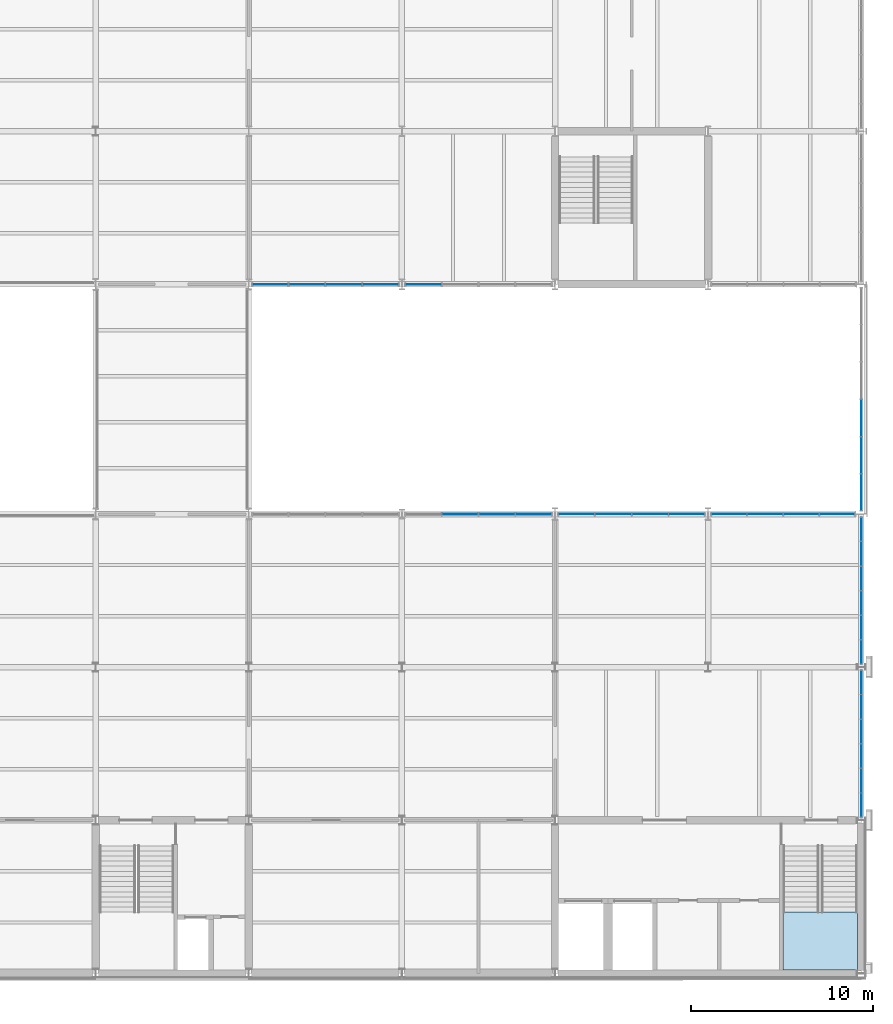
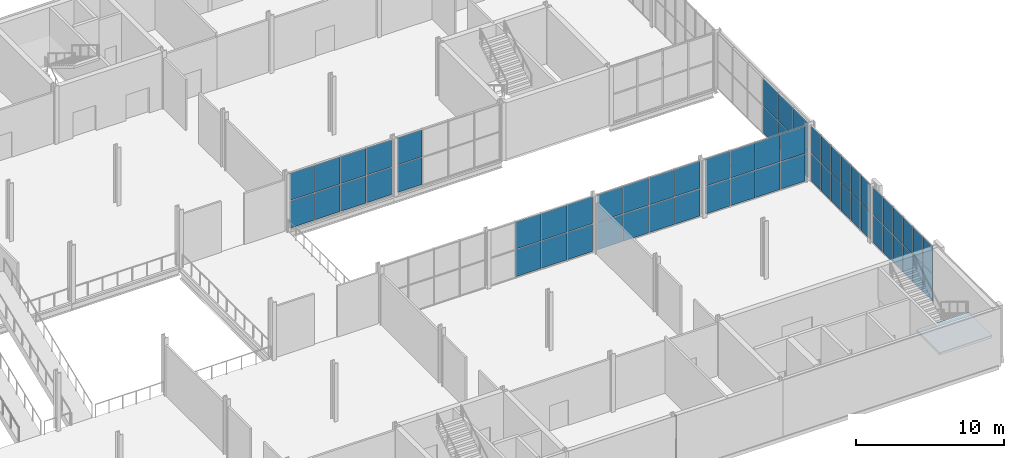
# One storey, part 33 of 61: 62 plates, 1 slab, 9 elements without a shape of their own.
"""IFC4 building model written with IfcOpenShell, lengths in metres."""

from ifc_helpers import new_model, si_unit, direction, frame, origin, origin_2d, place, context, subcontext, project, spatial, polyline, rectangle, outline, extrude, material, layer, layer_set, type_object, element, aggregate, save


model = new_model("IFC4")

# Units and contexts
model_context = context("Model", 3, precision=1e-05, world=origin(), true_north=direction((0.0, 1.0)))
body_context = subcontext(model_context, "Body", "Model", "MODEL_VIEW")
ifc_project = project(units=[si_unit("LENGTHUNIT", "METRE"), si_unit("AREAUNIT", "SQUARE_METRE"), si_unit("VOLUMEUNIT", "CUBIC_METRE"), si_unit("PLANEANGLEUNIT", "RADIAN"), si_unit("MASSUNIT", "GRAM", prefix="KILO")], contexts=[model_context])

# Site, building, storey
site_placement = place(None, origin())
site = spatial("IfcSite", under=ifc_project, at=site_placement, CompositionType="ELEMENT")
building_placement = place(site_placement, origin())
building = spatial("IfcBuilding", under=site, at=building_placement, Name="Galleria Vessillo Department Store", CompositionType="ELEMENT")
storey_placement = place(building_placement, frame((0.0, 0.0, 11.39990234375)))
storey = spatial("IfcBuildingStorey", under=building, at=storey_placement, Name="L02", CompositionType="ELEMENT", Elevation=11.39990234375)

# Curtain wall, plates
ifc_material_1 = material(Name="Aluminium and glass curtain wall", Category="aluminium")
ifc_layer_1 = layer(ifc_material_1, 0.1201171875)
ifc_layer_set_1 = layer_set([ifc_layer_1], Name="Aluminium and glass curtain wall")
curtain_wall_type_1 = type_object("IfcCurtainWallType", Name="Shopfront curtain wall CW3 1400 module", PredefinedType="NOTDEFINED", material=ifc_layer_set_1)
curtain_wall_1_placement = place(storey_placement, origin())
curtain_wall_1 = element("IfcCurtainWall", 1, at=curtain_wall_1_placement, inside=storey, type_object=curtain_wall_type_1, Name="Shopfront curtain wall CW3 1400 module SE-S-L02-01", PredefinedType="NOTDEFINED")
ifc_material_2 = material(Name="Glass laminated 44.2 low-e", Category="glass")
ifc_layer_2 = layer(ifc_material_2, 0.02392578125)
ifc_layer_set_2 = layer_set([ifc_layer_2], Name="Glass laminated 44.2 low-e")
plate_type_1 = type_object("IfcPlateType", Name="Laminated glass panel 24 mm", PredefinedType="CURTAIN_PANEL", material=ifc_layer_set_2)
plate_1_placement = place(storey_placement, frame((117.60009765625, 9.2373046875, 2.35009765625), z_axis=(0.0, 0.0, 1.0), x_axis=(0.0, 1.0, 0.0)))
plate_1 = element("IfcPlate", 2, at=plate_1_placement, type_object=plate_type_1, Name="CW3 panel 1.2", PredefinedType="CURTAIN_PANEL", context=body_context, shape_type="SweptSolid", body=[
    extrude(rectangle(XDim=1.275146484375, YDim=0.02392578125, at=origin_2d()), origin(), (0.0, 0.0, 1.0), 2.25),
])
plate_2_placement = place(storey_placement, frame((117.60009765625, 10.574951171875, 2.35009765625), z_axis=(0.0, 0.0, 1.0), x_axis=(0.0, 1.0, 0.0)))
plate_2 = element("IfcPlate", 3, at=plate_2_placement, type_object=plate_type_1, Name="CW3 panel 2.2", PredefinedType="CURTAIN_PANEL", context=body_context, shape_type="SweptSolid", body=[
    extrude(rectangle(XDim=1.300048828125, YDim=0.02392578125, at=origin_2d()), origin(), (0.0, 0.0, 1.0), 2.25),
])
plate_3_placement = place(storey_placement, frame((117.60009765625, 11.925048828125, 2.35009765625), z_axis=(0.0, 0.0, 1.0), x_axis=(0.0, 1.0, 0.0)))
plate_3 = element("IfcPlate", 4, at=plate_3_placement, type_object=plate_type_1, Name="CW3 panel 3.2", PredefinedType="CURTAIN_PANEL", context=body_context, shape_type="SweptSolid", body=[
    extrude(rectangle(XDim=1.300048828125, YDim=0.02392578125, at=origin_2d()), origin(), (0.0, 0.0, 1.0), 2.25),
])
plate_4_placement = place(storey_placement, frame((117.60009765625, 13.27490234375, 2.35009765625), z_axis=(0.0, 0.0, 1.0), x_axis=(0.0, 1.0, 0.0)))
plate_4 = element("IfcPlate", 5, at=plate_4_placement, type_object=plate_type_1, Name="CW3 panel 4.2", PredefinedType="CURTAIN_PANEL", context=body_context, shape_type="SweptSolid", body=[
    extrude(rectangle(XDim=1.300048828125, YDim=0.02392578125, at=origin_2d()), origin(), (0.0, 0.0, 1.0), 2.25),
])
plate_5_placement = place(storey_placement, frame((117.60009765625, 14.625, 2.35009765625), z_axis=(0.0, 0.0, 1.0), x_axis=(0.0, 1.0, 0.0)))
plate_5 = element("IfcPlate", 6, at=plate_5_placement, type_object=plate_type_1, Name="CW3 panel 5.2", PredefinedType="CURTAIN_PANEL", context=body_context, shape_type="SweptSolid", body=[
    extrude(rectangle(XDim=1.300048828125, YDim=0.02392578125, at=origin_2d()), origin(), (0.0, 0.0, 1.0), 2.25),
])
plate_6_placement = place(storey_placement, frame((117.60009765625, 15.962646484375, 2.35009765625), z_axis=(0.0, 0.0, 1.0), x_axis=(0.0, 1.0, 0.0)))
plate_6 = element("IfcPlate", 7, at=plate_6_placement, type_object=plate_type_1, Name="CW3 panel 6.2", PredefinedType="CURTAIN_PANEL", context=body_context, shape_type="SweptSolid", body=[
    extrude(rectangle(XDim=1.275146484375, YDim=0.02392578125, at=origin_2d()), origin(), (0.0, 0.0, 1.0), 2.25),
])

curtain_wall_2_placement = place(storey_placement, origin())
curtain_wall_2 = element("IfcCurtainWall", 8, at=curtain_wall_2_placement, inside=storey, type_object=curtain_wall_type_1, Name="Shopfront curtain wall CW3 1400 module SE-S-L02-02", PredefinedType="NOTDEFINED")
plate_7_placement = place(storey_placement, frame((117.60009765625, 17.63720703125, 2.35009765625), z_axis=(0.0, 0.0, 1.0), x_axis=(0.0, 1.0, 0.0)))
plate_7 = element("IfcPlate", 9, at=plate_7_placement, type_object=plate_type_1, Name="CW3 panel 1.2", PredefinedType="CURTAIN_PANEL", context=body_context, shape_type="SweptSolid", body=[
    extrude(rectangle(XDim=1.274658203125, YDim=0.02392578125, at=origin_2d()), origin(), (0.0, 0.0, 1.0), 2.25),
])
plate_8_placement = place(storey_placement, frame((117.60009765625, 18.974365234375, 2.35009765625), z_axis=(0.0, 0.0, 1.0), x_axis=(0.0, 1.0, 0.0)))
plate_8 = element("IfcPlate", 10, at=plate_8_placement, type_object=plate_type_1, Name="CW3 panel 2.2", PredefinedType="CURTAIN_PANEL", context=body_context, shape_type="SweptSolid", body=[
    extrude(rectangle(XDim=1.299560546875, YDim=0.02392578125, at=origin_2d()), origin(), (0.0, 0.0, 1.0), 2.25),
])
plate_9_placement = place(storey_placement, frame((117.60009765625, 20.323974609375, 2.35009765625), z_axis=(0.0, 0.0, 1.0), x_axis=(0.0, 1.0, 0.0)))
plate_9 = element("IfcPlate", 11, at=plate_9_placement, type_object=plate_type_1, Name="CW3 panel 3.2", PredefinedType="CURTAIN_PANEL", context=body_context, shape_type="SweptSolid", body=[
    extrude(rectangle(XDim=1.299560546875, YDim=0.02392578125, at=origin_2d()), origin(), (0.0, 0.0, 1.0), 2.25),
])
plate_10_placement = place(storey_placement, frame((117.60009765625, 21.67333984375, 2.35009765625), z_axis=(0.0, 0.0, 1.0), x_axis=(0.0, 1.0, 0.0)))
plate_10 = element("IfcPlate", 12, at=plate_10_placement, type_object=plate_type_1, Name="CW3 panel 4.2", PredefinedType="CURTAIN_PANEL", context=body_context, shape_type="SweptSolid", body=[
    extrude(rectangle(XDim=1.299560546875, YDim=0.02392578125, at=origin_2d()), origin(), (0.0, 0.0, 1.0), 2.25),
])
plate_11_placement = place(storey_placement, frame((117.60009765625, 23.02294921875, 2.35009765625), z_axis=(0.0, 0.0, 1.0), x_axis=(0.0, 1.0, 0.0)))
plate_11 = element("IfcPlate", 13, at=plate_11_placement, type_object=plate_type_1, Name="CW3 panel 5.2", PredefinedType="CURTAIN_PANEL", context=body_context, shape_type="SweptSolid", body=[
    extrude(rectangle(XDim=1.299560546875, YDim=0.02392578125, at=origin_2d()), origin(), (0.0, 0.0, 1.0), 2.25),
])
plate_12_placement = place(storey_placement, frame((117.60009765625, 24.360107421875, 2.35009765625), z_axis=(0.0, 0.0, 1.0), x_axis=(0.0, 1.0, 0.0)))
plate_12 = element("IfcPlate", 14, at=plate_12_placement, type_object=plate_type_1, Name="CW3 panel 6.2", PredefinedType="CURTAIN_PANEL", context=body_context, shape_type="SweptSolid", body=[
    extrude(rectangle(XDim=1.274658203125, YDim=0.02392578125, at=origin_2d()), origin(), (0.0, 0.0, 1.0), 2.25),
])

ifc_material_3 = material(Name="Aluminium and glass curtain wall", Category="aluminium")
ifc_layer_3 = layer(ifc_material_3, 0.159912109375)
ifc_layer_set_3 = layer_set([ifc_layer_3], Name="Aluminium and glass curtain wall")
curtain_wall_type_2 = type_object("IfcCurtainWallType", Name="Arcade portal glazing CW2 2100 module", PredefinedType="NOTDEFINED", material=ifc_layer_set_3)
curtain_wall_3_placement = place(storey_placement, origin())
curtain_wall_3 = element("IfcCurtainWall", 15, at=curtain_wall_3_placement, inside=storey, type_object=curtain_wall_type_2, Name="Arcade portal glazing CW2 2100 module PW-E-S-L02-01", PredefinedType="NOTDEFINED")
ifc_material_4 = material(Name="Glass laminated 44.2 low-e", Category="glass")
ifc_layer_4 = layer(ifc_material_4, 0.028076171875)
ifc_layer_set_4 = layer_set([ifc_layer_4], Name="Glass laminated 44.2 low-e")
plate_type_2 = type_object("IfcPlateType", Name="Laminated glass panel 28 mm", PredefinedType="CURTAIN_PANEL", material=ifc_layer_set_4)
plate_13_placement = place(storey_placement, frame((101.97705078125, 25.199951171875, 0.06005859375), z_axis=(0.0, 0.0, 1.0), x_axis=(1.0, 0.0, 0.0)))
plate_13 = element("IfcPlate", 16, at=plate_13_placement, type_object=plate_type_2, Name="CW2 panel 1.1", PredefinedType="CURTAIN_PANEL", context=body_context, shape_type="SweptSolid", body=[
    extrude(rectangle(XDim=1.94873046875, YDim=0.028076171875, at=origin_2d()), origin(), (0.0, 0.0, 1.0), 2.235107421875),
])
plate_14_placement = place(storey_placement, frame((101.97705078125, 25.199951171875, 2.35498046875), z_axis=(0.0, 0.0, 1.0), x_axis=(1.0, 0.0, 0.0)))
plate_14 = element("IfcPlate", 17, at=plate_14_placement, type_object=plate_type_2, Name="CW2 panel 1.2", PredefinedType="CURTAIN_PANEL", context=body_context, shape_type="SweptSolid", body=[
    extrude(rectangle(XDim=1.94873046875, YDim=0.028076171875, at=origin_2d()), origin(), (0.0, 0.0, 1.0), 2.235107421875),
])
plate_15_placement = place(storey_placement, frame((103.98828125, 25.199951171875, 0.06005859375), z_axis=(0.0, 0.0, 1.0), x_axis=(1.0, 0.0, 0.0)))
plate_15 = element("IfcPlate", 18, at=plate_15_placement, type_object=plate_type_2, Name="CW2 panel 2.1", PredefinedType="CURTAIN_PANEL", context=body_context, shape_type="SweptSolid", body=[
    extrude(rectangle(XDim=1.9736328125, YDim=0.028076171875, at=origin_2d()), origin(), (0.0, 0.0, 1.0), 2.235107421875),
])
plate_16_placement = place(storey_placement, frame((103.98828125, 25.199951171875, 2.35498046875), z_axis=(0.0, 0.0, 1.0), x_axis=(1.0, 0.0, 0.0)))
plate_16 = element("IfcPlate", 19, at=plate_16_placement, type_object=plate_type_2, Name="CW2 panel 2.2", PredefinedType="CURTAIN_PANEL", context=body_context, shape_type="SweptSolid", body=[
    extrude(rectangle(XDim=1.9736328125, YDim=0.028076171875, at=origin_2d()), origin(), (0.0, 0.0, 1.0), 2.235107421875),
])
plate_17_placement = place(storey_placement, frame((106.01171875, 25.199951171875, 0.06005859375), z_axis=(0.0, 0.0, 1.0), x_axis=(1.0, 0.0, 0.0)))
plate_17 = element("IfcPlate", 20, at=plate_17_placement, type_object=plate_type_2, Name="CW2 panel 3.1", PredefinedType="CURTAIN_PANEL", context=body_context, shape_type="SweptSolid", body=[
    extrude(rectangle(XDim=1.9736328125, YDim=0.028076171875, at=origin_2d()), origin(), (0.0, 0.0, 1.0), 2.235107421875),
])
plate_18_placement = place(storey_placement, frame((106.01171875, 25.199951171875, 2.35498046875), z_axis=(0.0, 0.0, 1.0), x_axis=(1.0, 0.0, 0.0)))
plate_18 = element("IfcPlate", 21, at=plate_18_placement, type_object=plate_type_2, Name="CW2 panel 3.2", PredefinedType="CURTAIN_PANEL", context=body_context, shape_type="SweptSolid", body=[
    extrude(rectangle(XDim=1.9736328125, YDim=0.028076171875, at=origin_2d()), origin(), (0.0, 0.0, 1.0), 2.235107421875),
])
plate_19_placement = place(storey_placement, frame((108.02294921875, 25.199951171875, 0.06005859375), z_axis=(0.0, 0.0, 1.0), x_axis=(1.0, 0.0, 0.0)))
plate_19 = element("IfcPlate", 22, at=plate_19_placement, type_object=plate_type_2, Name="CW2 panel 4.1", PredefinedType="CURTAIN_PANEL", context=body_context, shape_type="SweptSolid", body=[
    extrude(rectangle(XDim=1.94873046875, YDim=0.028076171875, at=origin_2d()), origin(), (0.0, 0.0, 1.0), 2.235107421875),
])
plate_20_placement = place(storey_placement, frame((108.02294921875, 25.199951171875, 2.35498046875), z_axis=(0.0, 0.0, 1.0), x_axis=(1.0, 0.0, 0.0)))
plate_20 = element("IfcPlate", 23, at=plate_20_placement, type_object=plate_type_2, Name="CW2 panel 4.2", PredefinedType="CURTAIN_PANEL", context=body_context, shape_type="SweptSolid", body=[
    extrude(rectangle(XDim=1.94873046875, YDim=0.028076171875, at=origin_2d()), origin(), (0.0, 0.0, 1.0), 2.235107421875),
])
aggregate(curtain_wall_3, [plate_13, plate_14, plate_15, plate_16, plate_17, plate_18, plate_19, plate_20])

curtain_wall_4_placement = place(storey_placement, origin())
curtain_wall_4 = element("IfcCurtainWall", 24, at=curtain_wall_4_placement, inside=storey, type_object=curtain_wall_type_2, Name="Arcade portal glazing CW2 2100 module PW-E-S-L02-02", PredefinedType="NOTDEFINED")
plate_21_placement = place(storey_placement, frame((110.354248046875, 25.199951171875, 0.06005859375), z_axis=(0.0, 0.0, 1.0), x_axis=(1.0, 0.0, 0.0)))
plate_21 = element("IfcPlate", 25, at=plate_21_placement, type_object=plate_type_2, Name="CW2 panel 1.1", PredefinedType="CURTAIN_PANEL", context=body_context, shape_type="SweptSolid", body=[
    extrude(rectangle(XDim=1.9033203125, YDim=0.028076171875, at=origin_2d()), origin(), (0.0, 0.0, 1.0), 2.235107421875),
])
plate_22_placement = place(storey_placement, frame((110.354248046875, 25.199951171875, 2.35498046875), z_axis=(0.0, 0.0, 1.0), x_axis=(1.0, 0.0, 0.0)))
plate_22 = element("IfcPlate", 26, at=plate_22_placement, type_object=plate_type_2, Name="CW2 panel 1.2", PredefinedType="CURTAIN_PANEL", context=body_context, shape_type="SweptSolid", body=[
    extrude(rectangle(XDim=1.9033203125, YDim=0.028076171875, at=origin_2d()), origin(), (0.0, 0.0, 1.0), 2.235107421875),
])
plate_23_placement = place(storey_placement, frame((112.320068359375, 25.199951171875, 0.06005859375), z_axis=(0.0, 0.0, 1.0), x_axis=(1.0, 0.0, 0.0)))
plate_23 = element("IfcPlate", 27, at=plate_23_placement, type_object=plate_type_2, Name="CW2 panel 2.1", PredefinedType="CURTAIN_PANEL", context=body_context, shape_type="SweptSolid", body=[
    extrude(rectangle(XDim=1.928466796875, YDim=0.028076171875, at=origin_2d()), origin(), (0.0, 0.0, 1.0), 2.235107421875),
])
plate_24_placement = place(storey_placement, frame((112.320068359375, 25.199951171875, 2.35498046875), z_axis=(0.0, 0.0, 1.0), x_axis=(1.0, 0.0, 0.0)))
plate_24 = element("IfcPlate", 28, at=plate_24_placement, type_object=plate_type_2, Name="CW2 panel 2.2", PredefinedType="CURTAIN_PANEL", context=body_context, shape_type="SweptSolid", body=[
    extrude(rectangle(XDim=1.928466796875, YDim=0.028076171875, at=origin_2d()), origin(), (0.0, 0.0, 1.0), 2.235107421875),
])
plate_25_placement = place(storey_placement, frame((114.298583984375, 25.199951171875, 0.06005859375), z_axis=(0.0, 0.0, 1.0), x_axis=(1.0, 0.0, 0.0)))
plate_25 = element("IfcPlate", 29, at=plate_25_placement, type_object=plate_type_2, Name="CW2 panel 3.1", PredefinedType="CURTAIN_PANEL", context=body_context, shape_type="SweptSolid", body=[
    extrude(rectangle(XDim=1.928466796875, YDim=0.028076171875, at=origin_2d()), origin(), (0.0, 0.0, 1.0), 2.235107421875),
])
plate_26_placement = place(storey_placement, frame((114.298583984375, 25.199951171875, 2.35498046875), z_axis=(0.0, 0.0, 1.0), x_axis=(1.0, 0.0, 0.0)))
plate_26 = element("IfcPlate", 30, at=plate_26_placement, type_object=plate_type_2, Name="CW2 panel 3.2", PredefinedType="CURTAIN_PANEL", context=body_context, shape_type="SweptSolid", body=[
    extrude(rectangle(XDim=1.928466796875, YDim=0.028076171875, at=origin_2d()), origin(), (0.0, 0.0, 1.0), 2.235107421875),
])
plate_27_placement = place(storey_placement, frame((116.264404296875, 25.199951171875, 0.06005859375), z_axis=(0.0, 0.0, 1.0), x_axis=(1.0, 0.0, 0.0)))
plate_27 = element("IfcPlate", 31, at=plate_27_placement, type_object=plate_type_2, Name="CW2 panel 4.1", PredefinedType="CURTAIN_PANEL", context=body_context, shape_type="SweptSolid", body=[
    extrude(rectangle(XDim=1.9033203125, YDim=0.028076171875, at=origin_2d()), origin(), (0.0, 0.0, 1.0), 2.235107421875),
])
plate_28_placement = place(storey_placement, frame((116.264404296875, 25.199951171875, 2.35498046875), z_axis=(0.0, 0.0, 1.0), x_axis=(1.0, 0.0, 0.0)))
plate_28 = element("IfcPlate", 32, at=plate_28_placement, type_object=plate_type_2, Name="CW2 panel 4.2", PredefinedType="CURTAIN_PANEL", context=body_context, shape_type="SweptSolid", body=[
    extrude(rectangle(XDim=1.9033203125, YDim=0.028076171875, at=origin_2d()), origin(), (0.0, 0.0, 1.0), 2.235107421875),
])
aggregate(curtain_wall_4, [plate_21, plate_22, plate_23, plate_24, plate_25, plate_26, plate_27, plate_28])

curtain_wall_5_placement = place(storey_placement, origin())
curtain_wall_5 = element("IfcCurtainWall", 33, at=curtain_wall_5_placement, inside=storey, type_object=curtain_wall_type_2, Name="Arcade portal glazing CW2 2100 module SCR-E-L02-01", PredefinedType="NOTDEFINED")
plate_29_placement = place(storey_placement, frame((117.60009765625, 26.3896484375, 0.06005859375), z_axis=(0.0, 0.0, 1.0), x_axis=(0.0, 1.0, 0.0)))
plate_29 = element("IfcPlate", 34, at=plate_29_placement, type_object=plate_type_2, Name="CW2 panel 1.1", PredefinedType="CURTAIN_PANEL", context=body_context, shape_type="SweptSolid", body=[
    extrude(rectangle(XDim=1.97412109375, YDim=0.028076171875, at=origin_2d()), origin(), (0.0, 0.0, 1.0), 2.235107421875),
])
plate_30_placement = place(storey_placement, frame((117.60009765625, 26.3896484375, 2.35498046875), z_axis=(0.0, 0.0, 1.0), x_axis=(0.0, 1.0, 0.0)))
plate_30 = element("IfcPlate", 35, at=plate_30_placement, type_object=plate_type_2, Name="CW2 panel 1.2", PredefinedType="CURTAIN_PANEL", context=body_context, shape_type="SweptSolid", body=[
    extrude(rectangle(XDim=1.97412109375, YDim=0.028076171875, at=origin_2d()), origin(), (0.0, 0.0, 1.0), 2.235107421875),
])
plate_31_placement = place(storey_placement, frame((117.60009765625, 28.42626953125, 0.06005859375), z_axis=(0.0, 0.0, 1.0), x_axis=(0.0, 1.0, 0.0)))
plate_31 = element("IfcPlate", 36, at=plate_31_placement, type_object=plate_type_2, Name="CW2 panel 2.1", PredefinedType="CURTAIN_PANEL", context=body_context, shape_type="SweptSolid", body=[
    extrude(rectangle(XDim=1.9990234375, YDim=0.028076171875, at=origin_2d()), origin(), (0.0, 0.0, 1.0), 2.235107421875),
])
plate_32_placement = place(storey_placement, frame((117.60009765625, 28.42626953125, 2.35498046875), z_axis=(0.0, 0.0, 1.0), x_axis=(0.0, 1.0, 0.0)))
plate_32 = element("IfcPlate", 37, at=plate_32_placement, type_object=plate_type_2, Name="CW2 panel 2.2", PredefinedType="CURTAIN_PANEL", context=body_context, shape_type="SweptSolid", body=[
    extrude(rectangle(XDim=1.9990234375, YDim=0.028076171875, at=origin_2d()), origin(), (0.0, 0.0, 1.0), 2.235107421875),
])
plate_33_placement = place(storey_placement, frame((117.60009765625, 30.47509765625, 0.06005859375), z_axis=(0.0, 0.0, 1.0), x_axis=(0.0, 1.0, 0.0)))
plate_33 = element("IfcPlate", 38, at=plate_33_placement, type_object=plate_type_2, Name="CW2 panel 3.1", PredefinedType="CURTAIN_PANEL", context=body_context, shape_type="SweptSolid", body=[
    extrude(rectangle(XDim=1.9990234375, YDim=0.028076171875, at=origin_2d()), origin(), (0.0, 0.0, 1.0), 2.235107421875),
])
plate_34_placement = place(storey_placement, frame((117.60009765625, 30.47509765625, 2.35498046875), z_axis=(0.0, 0.0, 1.0), x_axis=(0.0, 1.0, 0.0)))
plate_34 = element("IfcPlate", 39, at=plate_34_placement, type_object=plate_type_2, Name="CW2 panel 3.2", PredefinedType="CURTAIN_PANEL", context=body_context, shape_type="SweptSolid", body=[
    extrude(rectangle(XDim=1.9990234375, YDim=0.028076171875, at=origin_2d()), origin(), (0.0, 0.0, 1.0), 2.235107421875),
])
aggregate(curtain_wall_5, [plate_29, plate_30, plate_31, plate_32, plate_33, plate_34])

ifc_material_5 = material(Name="Aluminium and glass curtain wall", Category="aluminium")
ifc_layer_5 = layer(ifc_material_5, 0.199951171875)
ifc_layer_set_5 = layer_set([ifc_layer_5], Name="Aluminium and glass curtain wall")
curtain_wall_type_3 = type_object("IfcCurtainWallType", Name="Arcade curtain wall CW1 2100 module", PredefinedType="NOTDEFINED", material=ifc_layer_set_5)
curtain_wall_6_placement = place(storey_placement, origin())
curtain_wall_6 = element("IfcCurtainWall", 40, at=curtain_wall_6_placement, inside=storey, type_object=curtain_wall_type_3, Name="Arcade curtain wall CW1 2100 module AI-AE-S-L02-02", PredefinedType="NOTDEFINED")
ifc_material_6 = material(Name="Glass laminated 44.2 low-e", Category="glass")
ifc_layer_6 = layer(ifc_material_6, 0.031982421875)
ifc_layer_set_6 = layer_set([ifc_layer_6], Name="Glass laminated 44.2 low-e")
plate_type_3 = type_object("IfcPlateType", Name="Laminated glass panel 32 mm", PredefinedType="CURTAIN_PANEL", material=ifc_layer_set_6)
plate_35_placement = place(storey_placement, frame((95.58837890625, 25.199951171875, 0.06982421875), z_axis=(0.0, 0.0, 1.0), x_axis=(1.0, 0.0, 0.0)))
plate_35 = element("IfcPlate", 41, at=plate_35_placement, type_object=plate_type_3, Name="CW1 panel 2.1", PredefinedType="CURTAIN_PANEL", context=body_context, shape_type="SweptSolid", body=[
    extrude(rectangle(XDim=1.963623046875, YDim=0.031982421875, at=origin_2d()), origin(), (0.0, 0.0, 1.0), 2.22021484375),
])
plate_36_placement = place(storey_placement, frame((95.58837890625, 25.199951171875, 2.3603515625), z_axis=(0.0, 0.0, 1.0), x_axis=(1.0, 0.0, 0.0)))
plate_36 = element("IfcPlate", 42, at=plate_36_placement, type_object=plate_type_3, Name="CW1 panel 2.2", PredefinedType="CURTAIN_PANEL", context=body_context, shape_type="SweptSolid", body=[
    extrude(rectangle(XDim=1.963623046875, YDim=0.031982421875, at=origin_2d()), origin(), (0.0, 0.0, 1.0), 2.219970703125),
])
plate_37_placement = place(storey_placement, frame((97.612060546875, 25.199951171875, 0.06982421875), z_axis=(0.0, 0.0, 1.0), x_axis=(1.0, 0.0, 0.0)))
plate_37 = element("IfcPlate", 43, at=plate_37_placement, type_object=plate_type_3, Name="CW1 panel 3.1", PredefinedType="CURTAIN_PANEL", context=body_context, shape_type="SweptSolid", body=[
    extrude(rectangle(XDim=1.963623046875, YDim=0.031982421875, at=origin_2d()), origin(), (0.0, 0.0, 1.0), 2.22021484375),
])
plate_38_placement = place(storey_placement, frame((97.612060546875, 25.199951171875, 2.3603515625), z_axis=(0.0, 0.0, 1.0), x_axis=(1.0, 0.0, 0.0)))
plate_38 = element("IfcPlate", 44, at=plate_38_placement, type_object=plate_type_3, Name="CW1 panel 3.2", PredefinedType="CURTAIN_PANEL", context=body_context, shape_type="SweptSolid", body=[
    extrude(rectangle(XDim=1.963623046875, YDim=0.031982421875, at=origin_2d()), origin(), (0.0, 0.0, 1.0), 2.219970703125),
])
plate_39_placement = place(storey_placement, frame((99.62060546875, 25.199951171875, 0.06982421875), z_axis=(0.0, 0.0, 1.0), x_axis=(1.0, 0.0, 0.0)))
plate_39 = element("IfcPlate", 45, at=plate_39_placement, type_object=plate_type_3, Name="CW1 panel 4.1", PredefinedType="CURTAIN_PANEL", context=body_context, shape_type="SweptSolid", body=[
    extrude(rectangle(XDim=1.93359375, YDim=0.031982421875, at=origin_2d()), origin(), (0.0, 0.0, 1.0), 2.22021484375),
])
plate_40_placement = place(storey_placement, frame((99.62060546875, 25.199951171875, 2.3603515625), z_axis=(0.0, 0.0, 1.0), x_axis=(1.0, 0.0, 0.0)))
plate_40 = element("IfcPlate", 46, at=plate_40_placement, type_object=plate_type_3, Name="CW1 panel 4.2", PredefinedType="CURTAIN_PANEL", context=body_context, shape_type="SweptSolid", body=[
    extrude(rectangle(XDim=1.93359375, YDim=0.031982421875, at=origin_2d()), origin(), (0.0, 0.0, 1.0), 2.219970703125),
])
aggregate(curtain_wall_6, [plate_35, plate_36, plate_37, plate_38, plate_39, plate_40])

curtain_wall_7_placement = place(storey_placement, origin())
curtain_wall_7 = element("IfcCurtainWall", 47, at=curtain_wall_7_placement, inside=storey, type_object=curtain_wall_type_3, Name="Arcade curtain wall CW1 2100 module AI-AE-N-L02-01", PredefinedType="NOTDEFINED")
plate_41_placement = place(storey_placement, frame((85.1796875, 37.800048828125, 0.06982421875), z_axis=(0.0, 0.0, 1.0), x_axis=(1.0, 0.0, 0.0)))
plate_41 = element("IfcPlate", 48, at=plate_41_placement, type_object=plate_type_3, Name="CW1 panel 1.1", PredefinedType="CURTAIN_PANEL", context=body_context, shape_type="SweptSolid", body=[
    extrude(rectangle(XDim=1.933349609375, YDim=0.031982421875, at=origin_2d()), origin(), (0.0, 0.0, 1.0), 2.22021484375),
])
plate_42_placement = place(storey_placement, frame((85.1796875, 37.800048828125, 2.3603515625), z_axis=(0.0, 0.0, 1.0), x_axis=(1.0, 0.0, 0.0)))
plate_42 = element("IfcPlate", 49, at=plate_42_placement, type_object=plate_type_3, Name="CW1 panel 1.2", PredefinedType="CURTAIN_PANEL", context=body_context, shape_type="SweptSolid", body=[
    extrude(rectangle(XDim=1.933349609375, YDim=0.031982421875, at=origin_2d()), origin(), (0.0, 0.0, 1.0), 2.219970703125),
])
plate_43_placement = place(storey_placement, frame((87.188232421875, 37.800048828125, 0.06982421875), z_axis=(0.0, 0.0, 1.0), x_axis=(1.0, 0.0, 0.0)))
plate_43 = element("IfcPlate", 50, at=plate_43_placement, type_object=plate_type_3, Name="CW1 panel 2.1", PredefinedType="CURTAIN_PANEL", context=body_context, shape_type="SweptSolid", body=[
    extrude(rectangle(XDim=1.96337890625, YDim=0.031982421875, at=origin_2d()), origin(), (0.0, 0.0, 1.0), 2.22021484375),
])
plate_44_placement = place(storey_placement, frame((87.188232421875, 37.800048828125, 2.3603515625), z_axis=(0.0, 0.0, 1.0), x_axis=(1.0, 0.0, 0.0)))
plate_44 = element("IfcPlate", 51, at=plate_44_placement, type_object=plate_type_3, Name="CW1 panel 2.2", PredefinedType="CURTAIN_PANEL", context=body_context, shape_type="SweptSolid", body=[
    extrude(rectangle(XDim=1.96337890625, YDim=0.031982421875, at=origin_2d()), origin(), (0.0, 0.0, 1.0), 2.219970703125),
])
plate_45_placement = place(storey_placement, frame((89.211669921875, 37.800048828125, 0.06982421875), z_axis=(0.0, 0.0, 1.0), x_axis=(1.0, 0.0, 0.0)))
plate_45 = element("IfcPlate", 52, at=plate_45_placement, type_object=plate_type_3, Name="CW1 panel 3.1", PredefinedType="CURTAIN_PANEL", context=body_context, shape_type="SweptSolid", body=[
    extrude(rectangle(XDim=1.96337890625, YDim=0.031982421875, at=origin_2d()), origin(), (0.0, 0.0, 1.0), 2.22021484375),
])
plate_46_placement = place(storey_placement, frame((89.211669921875, 37.800048828125, 2.3603515625), z_axis=(0.0, 0.0, 1.0), x_axis=(1.0, 0.0, 0.0)))
plate_46 = element("IfcPlate", 53, at=plate_46_placement, type_object=plate_type_3, Name="CW1 panel 3.2", PredefinedType="CURTAIN_PANEL", context=body_context, shape_type="SweptSolid", body=[
    extrude(rectangle(XDim=1.96337890625, YDim=0.031982421875, at=origin_2d()), origin(), (0.0, 0.0, 1.0), 2.219970703125),
])
plate_47_placement = place(storey_placement, frame((91.22021484375, 37.800048828125, 0.06982421875), z_axis=(0.0, 0.0, 1.0), x_axis=(1.0, 0.0, 0.0)))
plate_47 = element("IfcPlate", 54, at=plate_47_placement, type_object=plate_type_3, Name="CW1 panel 4.1", PredefinedType="CURTAIN_PANEL", context=body_context, shape_type="SweptSolid", body=[
    extrude(rectangle(XDim=1.933349609375, YDim=0.031982421875, at=origin_2d()), origin(), (0.0, 0.0, 1.0), 2.22021484375),
])
plate_48_placement = place(storey_placement, frame((91.22021484375, 37.800048828125, 2.3603515625), z_axis=(0.0, 0.0, 1.0), x_axis=(1.0, 0.0, 0.0)))
plate_48 = element("IfcPlate", 55, at=plate_48_placement, type_object=plate_type_3, Name="CW1 panel 4.2", PredefinedType="CURTAIN_PANEL", context=body_context, shape_type="SweptSolid", body=[
    extrude(rectangle(XDim=1.933349609375, YDim=0.031982421875, at=origin_2d()), origin(), (0.0, 0.0, 1.0), 2.219970703125),
])
aggregate(curtain_wall_7, [plate_41, plate_42, plate_43, plate_44, plate_45, plate_46, plate_47, plate_48])

curtain_wall_8_placement = place(storey_placement, origin())
curtain_wall_8 = element("IfcCurtainWall", 56, at=curtain_wall_8_placement, inside=storey, type_object=curtain_wall_type_3, Name="Arcade curtain wall CW1 2100 module AI-AE-N-L02-02", PredefinedType="NOTDEFINED")
plate_49_placement = place(storey_placement, frame((93.579833984375, 37.800048828125, 0.06982421875), z_axis=(0.0, 0.0, 1.0), x_axis=(1.0, 0.0, 0.0)))
plate_49 = element("IfcPlate", 57, at=plate_49_placement, type_object=plate_type_3, Name="CW1 panel 1.1", PredefinedType="CURTAIN_PANEL", context=body_context, shape_type="SweptSolid", body=[
    extrude(rectangle(XDim=1.93359375, YDim=0.031982421875, at=origin_2d()), origin(), (0.0, 0.0, 1.0), 2.22021484375),
])
plate_50_placement = place(storey_placement, frame((93.579833984375, 37.800048828125, 2.3603515625), z_axis=(0.0, 0.0, 1.0), x_axis=(1.0, 0.0, 0.0)))
plate_50 = element("IfcPlate", 58, at=plate_50_placement, type_object=plate_type_3, Name="CW1 panel 1.2", PredefinedType="CURTAIN_PANEL", context=body_context, shape_type="SweptSolid", body=[
    extrude(rectangle(XDim=1.93359375, YDim=0.031982421875, at=origin_2d()), origin(), (0.0, 0.0, 1.0), 2.219970703125),
])
aggregate(curtain_wall_8, [plate_49, plate_50])

# Stair, slab
ifc_material_7 = material(Name="Concrete C32/40", Category="concrete")
stair_type = type_object("IfcStairType", Name="Half-turn escape stair 2000 mm, 28 risers of 171 mm", PredefinedType="HALF_TURN_STAIR", material=ifc_material_7)
stair_placement = place(storey_placement, origin())
stair = element("IfcStair", 59, at=stair_placement, inside=storey, type_object=stair_type, Name="Stair ST7 L02", PredefinedType="HALF_TURN_STAIR")
ifc_material_8 = material(Name="Concrete C32/40", Category="concrete")
ifc_layer_7 = layer(ifc_material_8, 0.199951171875)
ifc_layer_set_7 = layer_set([ifc_layer_7], Name="Concrete C32/40")
slab_type = type_object("IfcSlabType", Name="Stair half landing 4100 x 3160 mm", PredefinedType="LANDING", material=ifc_layer_set_7)
slab_placement = place(storey_placement, frame((0.0, 0.0, 2.2001953125)))
slab = element("IfcSlab", 60, at=slab_placement, type_object=slab_type, Name="ST7 landing 1", PredefinedType="LANDING", context=body_context, shape_type="SweptSolid", body=[
    extrude(outline(polyline([(113.300048828125, 0.199951171875), (113.300048828125, 3.360107421875), (117.400146484375, 3.360107421875), (117.400146484375, 0.199951171875), (113.300048828125, 0.199951171875)])), origin(), (0.0, 0.0, 1.0), 0.199951171875),
])
aggregate(stair, [slab])

# Plate
ifc_material_9 = material(Name="Limestone spandrel on aluminium tray", Category="masonry")
ifc_layer_8 = layer(ifc_material_9, 0.02392578125)
ifc_layer_set_8 = layer_set([ifc_layer_8], Name="Limestone spandrel on aluminium tray")
plate_type_4 = type_object("IfcPlateType", Name="Stone spandrel panel 24 mm", PredefinedType="CURTAIN_PANEL", material=ifc_layer_set_8)
plate_51_placement = place(storey_placement, frame((117.60009765625, 9.2373046875, 0.050048828125), z_axis=(0.0, 0.0, 1.0), x_axis=(0.0, 1.0, 0.0)))
plate_51 = element("IfcPlate", 61, at=plate_51_placement, type_object=plate_type_4, Name="CW3 panel 1.1", PredefinedType="CURTAIN_PANEL", context=body_context, shape_type="SweptSolid", body=[
    extrude(rectangle(XDim=1.275146484375, YDim=0.02392578125, at=origin_2d()), origin(), (0.0, 0.0, 1.0), 2.25),
])

plate_52_placement = place(storey_placement, frame((117.60009765625, 10.574951171875, 0.050048828125), z_axis=(0.0, 0.0, 1.0), x_axis=(0.0, 1.0, 0.0)))
plate_52 = element("IfcPlate", 62, at=plate_52_placement, type_object=plate_type_4, Name="CW3 panel 2.1", PredefinedType="CURTAIN_PANEL", context=body_context, shape_type="SweptSolid", body=[
    extrude(rectangle(XDim=1.300048828125, YDim=0.02392578125, at=origin_2d()), origin(), (0.0, 0.0, 1.0), 2.25),
])

plate_53_placement = place(storey_placement, frame((117.60009765625, 11.925048828125, 0.050048828125), z_axis=(0.0, 0.0, 1.0), x_axis=(0.0, 1.0, 0.0)))
plate_53 = element("IfcPlate", 63, at=plate_53_placement, type_object=plate_type_4, Name="CW3 panel 3.1", PredefinedType="CURTAIN_PANEL", context=body_context, shape_type="SweptSolid", body=[
    extrude(rectangle(XDim=1.300048828125, YDim=0.02392578125, at=origin_2d()), origin(), (0.0, 0.0, 1.0), 2.25),
])

plate_54_placement = place(storey_placement, frame((117.60009765625, 13.27490234375, 0.050048828125), z_axis=(0.0, 0.0, 1.0), x_axis=(0.0, 1.0, 0.0)))
plate_54 = element("IfcPlate", 64, at=plate_54_placement, type_object=plate_type_4, Name="CW3 panel 4.1", PredefinedType="CURTAIN_PANEL", context=body_context, shape_type="SweptSolid", body=[
    extrude(rectangle(XDim=1.300048828125, YDim=0.02392578125, at=origin_2d()), origin(), (0.0, 0.0, 1.0), 2.25),
])

plate_55_placement = place(storey_placement, frame((117.60009765625, 14.625, 0.050048828125), z_axis=(0.0, 0.0, 1.0), x_axis=(0.0, 1.0, 0.0)))
plate_55 = element("IfcPlate", 65, at=plate_55_placement, type_object=plate_type_4, Name="CW3 panel 5.1", PredefinedType="CURTAIN_PANEL", context=body_context, shape_type="SweptSolid", body=[
    extrude(rectangle(XDim=1.300048828125, YDim=0.02392578125, at=origin_2d()), origin(), (0.0, 0.0, 1.0), 2.25),
])

plate_56_placement = place(storey_placement, frame((117.60009765625, 15.962646484375, 0.050048828125), z_axis=(0.0, 0.0, 1.0), x_axis=(0.0, 1.0, 0.0)))
plate_56 = element("IfcPlate", 66, at=plate_56_placement, type_object=plate_type_4, Name="CW3 panel 6.1", PredefinedType="CURTAIN_PANEL", context=body_context, shape_type="SweptSolid", body=[
    extrude(rectangle(XDim=1.275146484375, YDim=0.02392578125, at=origin_2d()), origin(), (0.0, 0.0, 1.0), 2.25),
])

aggregate(curtain_wall_1, [plate_51, plate_1, plate_52, plate_2, plate_53, plate_3, plate_54, plate_4, plate_55, plate_5, plate_56, plate_6])

plate_57_placement = place(storey_placement, frame((117.60009765625, 17.63720703125, 0.050048828125), z_axis=(0.0, 0.0, 1.0), x_axis=(0.0, 1.0, 0.0)))
plate_57 = element("IfcPlate", 67, at=plate_57_placement, type_object=plate_type_4, Name="CW3 panel 1.1", PredefinedType="CURTAIN_PANEL", context=body_context, shape_type="SweptSolid", body=[
    extrude(rectangle(XDim=1.274658203125, YDim=0.02392578125, at=origin_2d()), origin(), (0.0, 0.0, 1.0), 2.25),
])

plate_58_placement = place(storey_placement, frame((117.60009765625, 18.974365234375, 0.050048828125), z_axis=(0.0, 0.0, 1.0), x_axis=(0.0, 1.0, 0.0)))
plate_58 = element("IfcPlate", 68, at=plate_58_placement, type_object=plate_type_4, Name="CW3 panel 2.1", PredefinedType="CURTAIN_PANEL", context=body_context, shape_type="SweptSolid", body=[
    extrude(rectangle(XDim=1.299560546875, YDim=0.02392578125, at=origin_2d()), origin(), (0.0, 0.0, 1.0), 2.25),
])

plate_59_placement = place(storey_placement, frame((117.60009765625, 20.323974609375, 0.050048828125), z_axis=(0.0, 0.0, 1.0), x_axis=(0.0, 1.0, 0.0)))
plate_59 = element("IfcPlate", 69, at=plate_59_placement, type_object=plate_type_4, Name="CW3 panel 3.1", PredefinedType="CURTAIN_PANEL", context=body_context, shape_type="SweptSolid", body=[
    extrude(rectangle(XDim=1.299560546875, YDim=0.02392578125, at=origin_2d()), origin(), (0.0, 0.0, 1.0), 2.25),
])

plate_60_placement = place(storey_placement, frame((117.60009765625, 21.67333984375, 0.050048828125), z_axis=(0.0, 0.0, 1.0), x_axis=(0.0, 1.0, 0.0)))
plate_60 = element("IfcPlate", 70, at=plate_60_placement, type_object=plate_type_4, Name="CW3 panel 4.1", PredefinedType="CURTAIN_PANEL", context=body_context, shape_type="SweptSolid", body=[
    extrude(rectangle(XDim=1.299560546875, YDim=0.02392578125, at=origin_2d()), origin(), (0.0, 0.0, 1.0), 2.25),
])

plate_61_placement = place(storey_placement, frame((117.60009765625, 23.02294921875, 0.050048828125), z_axis=(0.0, 0.0, 1.0), x_axis=(0.0, 1.0, 0.0)))
plate_61 = element("IfcPlate", 71, at=plate_61_placement, type_object=plate_type_4, Name="CW3 panel 5.1", PredefinedType="CURTAIN_PANEL", context=body_context, shape_type="SweptSolid", body=[
    extrude(rectangle(XDim=1.299560546875, YDim=0.02392578125, at=origin_2d()), origin(), (0.0, 0.0, 1.0), 2.25),
])

plate_62_placement = place(storey_placement, frame((117.60009765625, 24.360107421875, 0.050048828125), z_axis=(0.0, 0.0, 1.0), x_axis=(0.0, 1.0, 0.0)))
plate_62 = element("IfcPlate", 72, at=plate_62_placement, type_object=plate_type_4, Name="CW3 panel 6.1", PredefinedType="CURTAIN_PANEL", context=body_context, shape_type="SweptSolid", body=[
    extrude(rectangle(XDim=1.274658203125, YDim=0.02392578125, at=origin_2d()), origin(), (0.0, 0.0, 1.0), 2.25),
])

aggregate(curtain_wall_2, [plate_57, plate_7, plate_58, plate_8, plate_59, plate_9, plate_60, plate_10, plate_61, plate_11, plate_62, plate_12])

save(model, "model.ifc")
